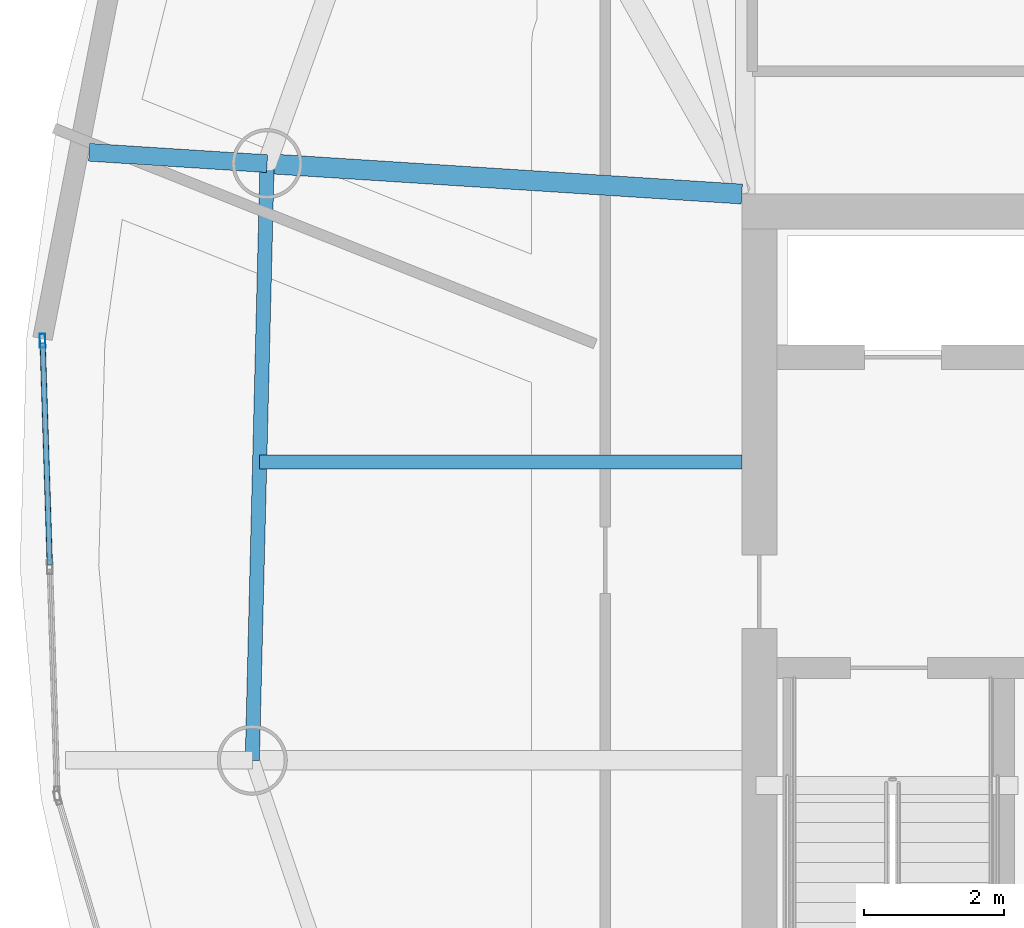
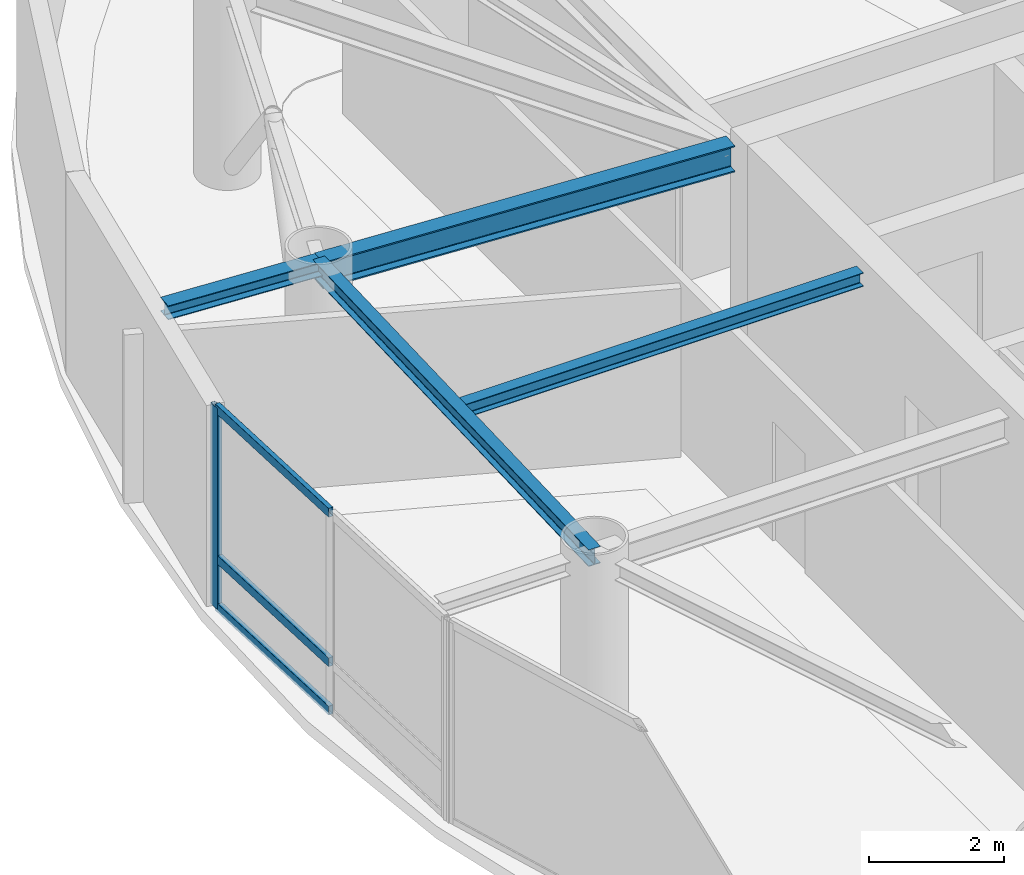
# One storey, part 6 of 23: 4 beams, 4 members, 1 element without a shape of its own.
"""IFC4 building model written with IfcOpenShell, lengths in metres."""

from ifc_helpers import new_model, si_unit, direction, frame, origin, origin_2d, place, context, subcontext, project, spatial, hollow_rectangle, i_section, extrude, material, layer, layer_set, material_profile, profile_set, type_object, element, aggregate, save


model = new_model("IFC4")

# Units and contexts
model_context = context("Model", 3, precision=1e-05, world=origin(), true_north=direction((0.0, 1.0)))
body_context = subcontext(model_context, "Body", "Model", "MODEL_VIEW")
ifc_project = project(units=[si_unit("LENGTHUNIT", "METRE"), si_unit("AREAUNIT", "SQUARE_METRE"), si_unit("VOLUMEUNIT", "CUBIC_METRE"), si_unit("PLANEANGLEUNIT", "RADIAN"), si_unit("MASSUNIT", "GRAM", prefix="KILO")], contexts=[model_context])

# Site, building, storey
site_placement = place(None, origin())
site = spatial("IfcSite", under=ifc_project, at=site_placement, CompositionType="ELEMENT")
building_placement = place(site_placement, origin())
building = spatial("IfcBuilding", under=site, at=building_placement, Name="Bramvorn Convention Spire", CompositionType="ELEMENT")
storey_placement = place(building_placement, frame((0.0, 0.0, 295.949951171875)))
storey = spatial("IfcBuildingStorey", under=building, at=storey_placement, Name="L75", CompositionType="ELEMENT", Elevation=295.949951171875)

# Beams
ifc_material_1 = material(Name="Steel CSA G40.21 Grade 350 (350W)", Category="steel")
ifc_material_profile_1 = material_profile(ifc_material_1, i_section(OverallWidth=0.201904296875, OverallDepth=0.2470703125, WebThickness=0.00732421875, FlangeThickness=0.010986328125, FilletRadius=0.011962890625, at=origin_2d()))
ifc_profile_set_1 = profile_set([ifc_material_profile_1], Name="Steel CSA G40.21 Grade 350 (350W) - W250X49")
beam_type_1 = type_object("IfcBeamType", Name="BM-W250X49", PredefinedType="JOIST", material=ifc_profile_set_1)
beam_1_placement = place(storey_placement, frame((26.75, 29.626953125, 3.50146484375), z_axis=(-1.0, 0.0, 0.0), x_axis=(0.0, -1.0, 0.0)))
element("IfcBeam", 1, at=beam_1_placement, inside=storey, type_object=beam_type_1, Name="L75 composite floor joist 11", PredefinedType="JOIST", context=body_context, shape_type="SweptSolid", body=[
    extrude(i_section(OverallWidth=0.201904296875, OverallDepth=0.2470703125, WebThickness=0.00732421875, FlangeThickness=0.010986328125, FilletRadius=0.011962890625, at=origin_2d()), origin(), (0.0, 0.0, 1.0), 6.879150390625),
])
ifc_material_profile_2 = material_profile(ifc_material_1, i_section(OverallWidth=0.25390625, OverallDepth=0.2529296875, WebThickness=0.008544921875, FlangeThickness=0.01416015625, FilletRadius=0.011962890625, at=origin_2d()))
ifc_profile_set_2 = profile_set([ifc_material_profile_2], Name="Steel CSA G40.21 Grade 350 (350W) - W250X73")
beam_type_2 = type_object("IfcBeamType", Name="BM-W250X73", PredefinedType="BEAM", material=ifc_profile_set_2)
beam_2_placement = place(storey_placement, frame((19.976318359375, 33.883544921875, 3.49853515625), z_axis=(-0.997961938162, 0.063811989315, 0.0), x_axis=(-0.063811989315, -0.997961938162, 0.0)))
element("IfcBeam", 2, at=beam_2_placement, inside=storey, type_object=beam_type_2, Name="L75 slab-edge cantilever tip beam MC11", PredefinedType="BEAM", context=body_context, shape_type="SweptSolid", body=[
    extrude(i_section(OverallWidth=0.25390625, OverallDepth=0.2529296875, WebThickness=0.008544921875, FlangeThickness=0.01416015625, FilletRadius=0.011962890625, at=origin_2d()), origin(), (0.0, 0.0, 1.0), 2.544189453125),
])
ifc_material_profile_3 = material_profile(ifc_material_1, i_section(OverallWidth=0.202880859375, OverallDepth=0.302978515625, WebThickness=0.007568359375, FlangeThickness=0.01318359375, FilletRadius=0.013916015625, at=origin_2d()))
ifc_profile_set_3 = profile_set([ifc_material_profile_3], Name="Steel CSA G40.21 Grade 350 (350W) - W310X60")
beam_type_3 = type_object("IfcBeamType", Name="BM-W310X60", PredefinedType="JOIST", material=ifc_profile_set_3)
beam_3_placement = place(storey_placement, frame((19.976318359375, 33.883544921875, 3.4736328125), z_axis=(-0.024770853371, -0.999693155335, 0.0), x_axis=(0.999693155335, -0.024770853371, 0.0)))
element("IfcBeam", 3, at=beam_3_placement, inside=storey, type_object=beam_type_3, Name="L75 mega-column ring beam 11", PredefinedType="JOIST", context=body_context, shape_type="SweptSolid", body=[
    extrude(i_section(OverallWidth=0.202880859375, OverallDepth=0.302978515625, WebThickness=0.007568359375, FlangeThickness=0.01318359375, FilletRadius=0.013916015625, at=origin_2d()), origin(), (0.0, 0.0, 1.0), 8.515625),
])
ifc_material_profile_4 = material_profile(ifc_material_1, i_section(OverallWidth=0.283935546875, OverallDepth=0.47607421875, WebThickness=0.014892578125, FlangeThickness=0.02392578125, FilletRadius=0.01806640625, at=origin_2d()))
ifc_profile_set_4 = profile_set([ifc_material_profile_4], Name="Steel CSA G40.21 Grade 350 (350W) - W460X158")
beam_type_4 = type_object("IfcBeamType", Name="BM-W460X158", PredefinedType="SPANDREL", material=ifc_profile_set_4)
beam_4_placement = place(storey_placement, frame((26.75, 33.449951171875, 3.386962890625), z_axis=(-0.997957536354, 0.063880792379, 0.0), x_axis=(-0.063880792379, -0.997957536354, 0.0)))
element("IfcBeam", 4, at=beam_4_placement, inside=storey, type_object=beam_type_4, Name="L75 radial floor girder MC11", PredefinedType="SPANDREL", context=body_context, shape_type="SweptSolid", body=[
    extrude(i_section(OverallWidth=0.283935546875, OverallDepth=0.47607421875, WebThickness=0.014892578125, FlangeThickness=0.02392578125, FilletRadius=0.01806640625, at=origin_2d()), origin(), (0.0, 0.0, 1.0), 6.78759765625),
])

# Curtain wall, members
ifc_material_2 = material(Name="Anodised Bronze Unitised Curtain Wall", Category="aluminium")
ifc_layer = layer(ifc_material_2, 0.179931640625)
ifc_layer_set = layer_set([ifc_layer], Name="Anodised Bronze Unitised Curtain Wall - CW-OFF-FRIT")
curtain_wall_type = type_object("IfcCurtainWallType", Name="CW-OFF-FRIT", PredefinedType="USERDEFINED", material=ifc_layer_set)
curtain_wall_placement = place(storey_placement, origin())
curtain_wall = element("IfcCurtainWall", 5, at=curtain_wall_placement, inside=storey, type_object=curtain_wall_type, Name="L75 fritted glass curtain wall 17", ObjectType="UNITISED CURTAIN WALL", PredefinedType="USERDEFINED")
ifc_material_3 = material(Name="Anodised Bronze Aluminium 6063-T6", Category="aluminium")
ifc_material_profile_5 = material_profile(ifc_material_3, hollow_rectangle(XDim=0.080078125, YDim=0.199951171875, WallThickness=0.00390625, InnerFilletRadius=0.0009765625, OuterFilletRadius=0.00390625, at=origin_2d()))
ifc_profile_set_5 = profile_set([ifc_material_profile_5], Name="Anodised Bronze Aluminium 6063-T6 - CWM80X200")
member_type_1 = type_object("IfcMemberType", Name="CW-MUL-180", PredefinedType="MULLION", material=ifc_profile_set_5)
member_1_placement = place(storey_placement, frame((16.77294921875, 31.35693359375, 0.0), z_axis=(0.0, 0.0, 1.0), x_axis=(-0.999483136292, -0.032147476854, 0.0)))
member_1 = element("IfcMember", 6, at=member_1_placement, type_object=member_type_1, Name="CW3 mullion 3", PredefinedType="MULLION", context=body_context, shape_type="SweptSolid", body=[
    extrude(hollow_rectangle(XDim=0.080078125, YDim=0.199951171875, WallThickness=0.00390625, InnerFilletRadius=0.0009765625, OuterFilletRadius=0.00390625, at=origin_2d()), origin(), (0.0, 0.0, 1.0), 3.625),
])
ifc_material_profile_6 = material_profile(ifc_material_3, hollow_rectangle(XDim=0.080078125, YDim=0.159912109375, WallThickness=0.00390625, InnerFilletRadius=0.0009765625, OuterFilletRadius=0.00390625, at=origin_2d()))
ifc_profile_set_6 = profile_set([ifc_material_profile_6], Name="Anodised Bronze Aluminium 6063-T6 - CWT80X160")
member_type_2 = type_object("IfcMemberType", Name="CW-TRN-150", PredefinedType="USERDEFINED", material=ifc_profile_set_6)
member_2_placement = place(storey_placement, frame((16.8759765625, 28.155517578125, 0.030029296875), z_axis=(-0.032161951987, 0.999482670607, 0.0), x_axis=(-0.999482670607, -0.032161951987, 0.0)))
member_2 = element("IfcMember", 7, at=member_2_placement, type_object=member_type_2, Name="CW3 transom 2.1", ObjectType="TRANSOM", PredefinedType="USERDEFINED", context=body_context, shape_type="SweptSolid", body=[
    extrude(hollow_rectangle(XDim=0.080078125, YDim=0.159912109375, WallThickness=0.00390625, InnerFilletRadius=0.0009765625, OuterFilletRadius=0.00390625, at=origin_2d()), origin(), (0.0, 0.0, 1.0), 3.173095703125),
])
member_3_placement = place(storey_placement, frame((16.8759765625, 28.155517578125, 0.900146484375), z_axis=(-0.032161951987, 0.999482670607, 0.0), x_axis=(-0.999482670607, -0.032161951987, 0.0)))
member_3 = element("IfcMember", 8, at=member_3_placement, type_object=member_type_2, Name="CW3 transom 2.2", ObjectType="TRANSOM", PredefinedType="USERDEFINED", context=body_context, shape_type="SweptSolid", body=[
    extrude(hollow_rectangle(XDim=0.080078125, YDim=0.159912109375, WallThickness=0.00390625, InnerFilletRadius=0.0009765625, OuterFilletRadius=0.00390625, at=origin_2d()), origin(), (0.0, 0.0, 1.0), 3.173095703125),
])
member_4_placement = place(storey_placement, frame((16.8759765625, 28.155517578125, 3.594970703125), z_axis=(-0.032161951987, 0.999482670607, 0.0), x_axis=(-0.999482670607, -0.032161951987, 0.0)))
member_4 = element("IfcMember", 9, at=member_4_placement, type_object=member_type_2, Name="CW3 transom 2.3", ObjectType="TRANSOM", PredefinedType="USERDEFINED", context=body_context, shape_type="SweptSolid", body=[
    extrude(hollow_rectangle(XDim=0.080078125, YDim=0.159912109375, WallThickness=0.00390625, InnerFilletRadius=0.0009765625, OuterFilletRadius=0.00390625, at=origin_2d()), origin(), (0.0, 0.0, 1.0), 3.173095703125),
])
aggregate(curtain_wall, [member_1, member_2, member_3, member_4])

save(model, "model.ifc")
